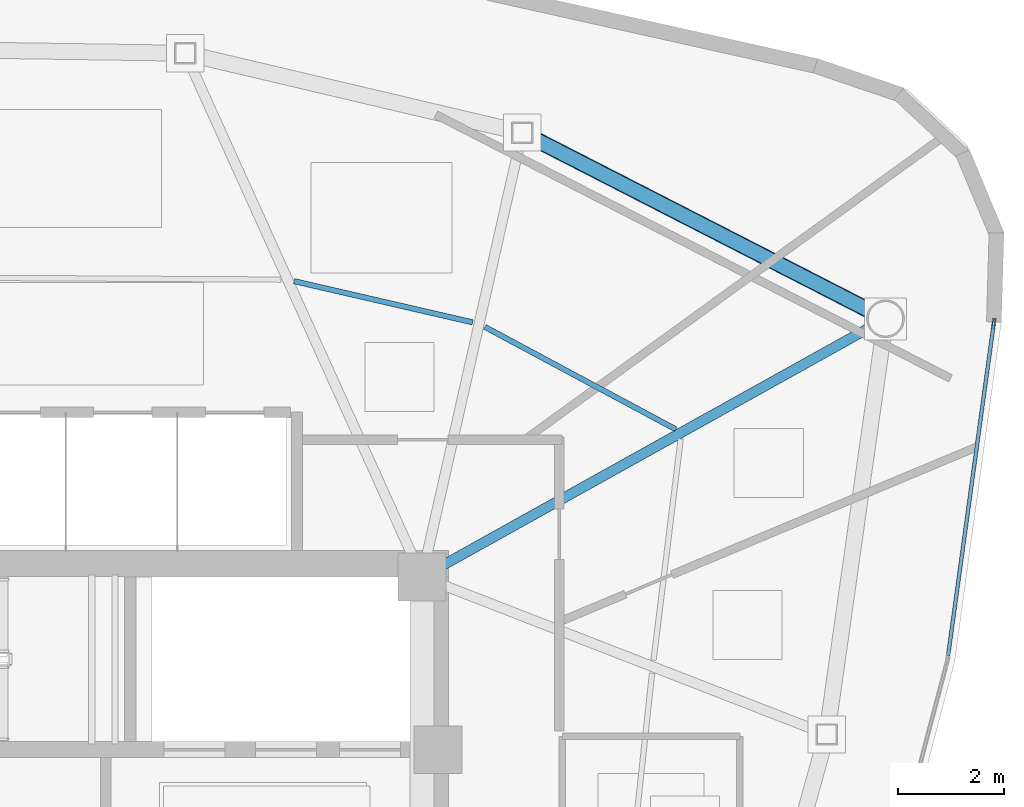
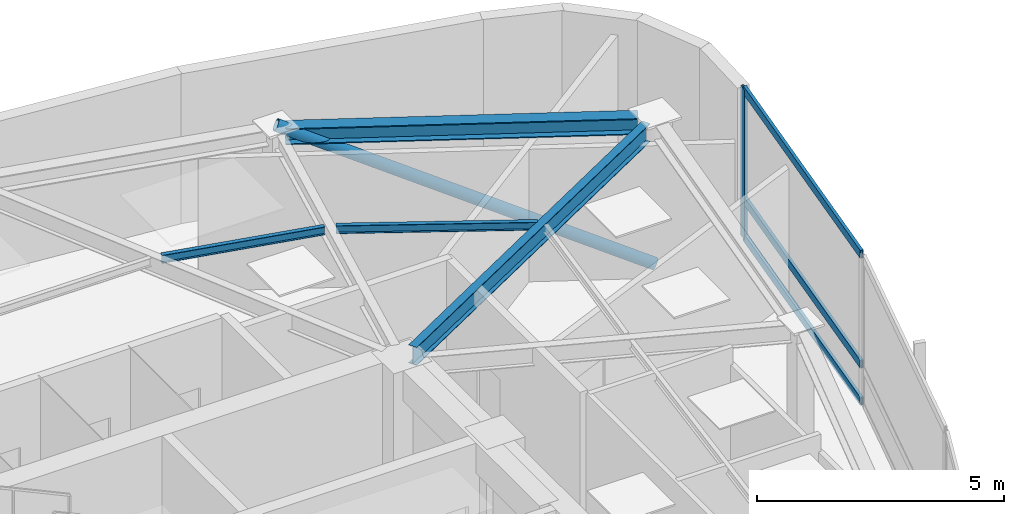
# One storey, part 6 of 12: 5 members, 4 beams, 1 element without a shape of its own.
"""IFC4 building model written with IfcOpenShell, lengths in metres."""

from ifc_helpers import new_model, si_unit, direction, frame, origin, origin_2d, place, context, subcontext, project, spatial, hollow_rectangle, hollow_circle, i_section, extrude, source, transform, mapped, material, layer, layer_set, material_profile, profile_set, type_object, type_shapes, element, aggregate, save


model = new_model("IFC4")

# Units and contexts
model_context = context("Model", 3, precision=1e-05, world=origin(), true_north=direction((0.0, 1.0)))
body_context = subcontext(model_context, "Body", "Model", "MODEL_VIEW")
ifc_project = project(units=[si_unit("LENGTHUNIT", "METRE"), si_unit("AREAUNIT", "SQUARE_METRE"), si_unit("VOLUMEUNIT", "CUBIC_METRE"), si_unit("PLANEANGLEUNIT", "RADIAN"), si_unit("MASSUNIT", "GRAM", prefix="KILO")], contexts=[model_context])

# Site, building, storey
site_placement = place(None, origin())
site = spatial("IfcSite", under=ifc_project, at=site_placement, CompositionType="ELEMENT")
building_placement = place(site_placement, origin())
building = spatial("IfcBuilding", under=site, at=building_placement, Name="Tavelor Broadcast Tower", CompositionType="ELEMENT")
storey_placement = place(building_placement, frame((0.0, 0.0, 317.5)))
storey = spatial("IfcBuildingStorey", under=building, at=storey_placement, Name="L76", CompositionType="ELEMENT", Elevation=317.5)

# Beams
ifc_material_1 = material(Name="Steel S355", Category="steel")
ifc_material_profile_1 = material_profile(ifc_material_1, i_section(OverallWidth=0.10009765625, OverallDepth=0.199951171875, WebThickness=0.005615234375, FlangeThickness=0.008544921875, at=origin_2d()), Name="IPE 200")
ifc_profile_set_1 = profile_set([ifc_material_profile_1], Name="Steel S355")
beam_type_1 = type_object("IfcBeamType", Name="Composite Floor Joist T8 IPE 200", PredefinedType="JOIST", material=ifc_profile_set_1)
beam_1_placement = place(storey_placement, frame((61.372802734375, 53.97705078125, 3.60009765625), z_axis=(-0.881270485995, 0.47261224118, 0.0), x_axis=(-0.47261224118, -0.881270485995, 0.0)))
element("IfcBeam", 1, at=beam_1_placement, inside=storey, type_object=beam_type_1, Name="L76 Secondary Composite Floor Joist 13", PredefinedType="JOIST", context=body_context, shape_type="SweptSolid", body=[
    extrude(i_section(OverallWidth=0.10009765625, OverallDepth=0.199951171875, WebThickness=0.005615234375, FlangeThickness=0.008544921875, at=origin_2d()), origin(), (0.0, 0.0, 1.0), 4.0732421875),
])
beam_2_placement = place(storey_placement, frame((57.553466796875, 55.98828125, 3.60009765625), z_axis=(-0.974380456478, 0.224906038232, 0.0), x_axis=(-0.224906038232, -0.974380456478, 0.0)))
element("IfcBeam", 2, at=beam_2_placement, inside=storey, type_object=beam_type_1, Name="L76 Secondary Composite Floor Joist 14", PredefinedType="JOIST", context=body_context, shape_type="SweptSolid", body=[
    extrude(i_section(OverallWidth=0.10009765625, OverallDepth=0.199951171875, WebThickness=0.005615234375, FlangeThickness=0.008544921875, at=origin_2d()), origin(), (0.0, 0.0, 1.0), 3.44873046875),
])
ifc_material_profile_2 = material_profile(ifc_material_1, i_section(OverallWidth=0.300048828125, OverallDepth=0.39990234375, WebThickness=0.013427734375, FlangeThickness=0.02392578125, at=origin_2d()), Name="HEB 400")
ifc_profile_set_2 = profile_set([ifc_material_profile_2], Name="Steel S355")
beam_type_2 = type_object("IfcBeamType", Name="Perimeter Spandrel Beam T8 HEB 400", PredefinedType="SPANDREL", material=ifc_profile_set_2)
beam_3_placement = place(storey_placement, frame((65.015869140625, 56.211181640625, 3.5), z_axis=(-0.889983170291, 0.455993373415, 0.0), x_axis=(-0.455993373415, -0.889983170291, 0.0)))
element("IfcBeam", 3, at=beam_3_placement, inside=storey, type_object=beam_type_2, Name="L76 Framed-Tube Ring Spandrel 13", PredefinedType="SPANDREL", context=body_context, shape_type="SweptSolid", body=[
    extrude(i_section(OverallWidth=0.300048828125, OverallDepth=0.39990234375, WebThickness=0.013427734375, FlangeThickness=0.02392578125, at=origin_2d()), origin(), (0.0, 0.0, 1.0), 7.1455078125),
])

# Member
ifc_material_profile_3 = material_profile(ifc_material_1, hollow_circle(Radius=0.136474609375, WallThickness=0.012451171875, at=origin_2d()), Name="CHS 273x12.5")
ifc_profile_set_3 = profile_set([ifc_material_profile_3], Name="Steel S355")
member_type_1 = type_object("IfcMemberType", Name="Perimeter Tube Brace T8 CHS 273x12.5", PredefinedType="BRACE", material=ifc_profile_set_3)
member_1_placement = place(storey_placement, frame((65.319580078125, 56.0556640625, 0.0), z_axis=(-0.801763897696, 0.410792291396, 0.434078732123), x_axis=(-0.455992584505, -0.889983574498, 0.0)))
element("IfcMember", 4, at=member_1_placement, inside=storey, type_object=member_type_1, Name="L76 Corner Tube Diagonal Brace 3", PredefinedType="BRACE", context=body_context, shape_type="SweptSolid", body=[
    extrude(hollow_circle(Radius=0.136474609375, WallThickness=0.012451171875, at=origin_2d()), origin(), (0.0, 0.0, 1.0), 8.523681640625),
])

# Beam
ifc_material_profile_4 = material_profile(ifc_material_1, i_section(OverallWidth=0.18994140625, OverallDepth=0.449951171875, WebThickness=0.009521484375, FlangeThickness=0.0146484375, at=origin_2d()), Name="IPE 450")
ifc_profile_set_4 = profile_set([ifc_material_profile_4], Name="Steel S355")
beam_type_3 = type_object("IfcBeamType", Name="Radial Floor Girder T8 IPE 450", PredefinedType="BEAM", material=ifc_profile_set_4)
beam_4_placement = place(storey_placement, frame((56.977294921875, 51.41015625, 3.47509765625), z_axis=(0.87366652502, 0.486525233734, 0.0), x_axis=(-0.486525233734, 0.87366652502, 0.0)))
element("IfcBeam", 5, at=beam_4_placement, inside=storey, type_object=beam_type_3, Name="L76 Radial Primary Floor Girder 13", PredefinedType="BEAM", context=body_context, shape_type="SweptSolid", body=[
    extrude(i_section(OverallWidth=0.18994140625, OverallDepth=0.449951171875, WebThickness=0.009521484375, FlangeThickness=0.0146484375, at=origin_2d()), origin(), (0.0, 0.0, 1.0), 9.20703125),
])

# Curtain wall, members
ifc_material_2 = material(Name="Architectural Anodized Aluminium", Category="aluminium")
ifc_layer = layer(ifc_material_2, 0.199951171875)
ifc_layer_set = layer_set([ifc_layer], Name="Architectural Anodized Aluminium")
curtain_wall_type = type_object("IfcCurtainWallType", Name="Tower High-Zone Triple-Glazed Curtain Wall CW04", PredefinedType="NOTDEFINED", material=ifc_layer_set)
curtain_wall_placement = place(storey_placement, origin())
curtain_wall = element("IfcCurtainWall", 6, at=curtain_wall_placement, inside=storey, type_object=curtain_wall_type, Name="L76 Curtain Wall CW04 Run 848", PredefinedType="NOTDEFINED")
ifc_material_profile_5 = material_profile(ifc_material_2, hollow_rectangle(XDim=0.070068359375, YDim=0.199951171875, WallThickness=0.02197265625, at=origin_2d()), Name="RHS 70x200x22")
ifc_profile_set_5 = profile_set([ifc_material_profile_5], Name="Architectural Anodized Aluminium")
member_type_2 = type_object("IfcMemberType", Name="CW04 Extruded Aluminium Mullion 70x200", PredefinedType="MULLION", material=ifc_profile_set_5)
shared_shape_1 = source(origin(), body_context, "Body", "SweptSolid", [
    extrude(hollow_rectangle(XDim=0.070068359375, YDim=0.199951171875, WallThickness=0.02197265625, at=origin_2d()), origin(), (0.0, 0.0, 1.0), 3.699951171875),
])
type_shapes(member_type_2, [shared_shape_1])
member_2_placement = place(storey_placement, frame((67.354736328125, 55.9658203125, 0.0), z_axis=(0.0, 0.0, 1.0), x_axis=(-0.990689538347, 0.136140510537, 0.0)))
member_2 = element("IfcMember", 7, at=member_2_placement, type_object=member_type_2, Name="CW04 mullion 2", PredefinedType="MULLION", context=body_context, shape_type="MappedRepresentation", body=[
    mapped(shared_shape_1, transform((0.0, 0.0, 0.0), scale=1.0)),
])
ifc_material_profile_6 = material_profile(ifc_material_2, hollow_rectangle(XDim=0.070068359375, YDim=0.199951171875, WallThickness=0.02197265625, at=origin_2d()), Name="RHS 70x200x22")
ifc_profile_set_6 = profile_set([ifc_material_profile_6], Name="Architectural Anodized Aluminium")
member_type_3 = type_object("IfcMemberType", Name="CW04 Extruded Aluminium Transom 70x200", PredefinedType="USERDEFINED", material=ifc_profile_set_6)
shared_shape_2 = source(origin(), body_context, "Body", "SweptSolid", [
    extrude(hollow_rectangle(XDim=0.070068359375, YDim=0.199951171875, WallThickness=0.02197265625, at=origin_2d()), origin(), (0.0, 0.0, 1.0), 6.275146484375),
])
type_shapes(member_type_3, [shared_shape_2])
member_3_placement = place(storey_placement, frame((66.495849609375, 49.71435546875, 0.034912109375), z_axis=(0.136130517571, 0.990690911529, 0.0), x_axis=(-0.990690911529, 0.136130517571, 0.0)))
member_3 = element("IfcMember", 8, at=member_3_placement, type_object=member_type_3, Name="CW04 transom 1.1", ObjectType="TRANSOM", PredefinedType="USERDEFINED", context=body_context, shape_type="MappedRepresentation", body=[
    mapped(shared_shape_2, transform((0.0, 0.0, 0.0), scale=1.0)),
])
member_4_placement = place(storey_placement, frame((66.495849609375, 49.71435546875, 0.949951171875), z_axis=(0.136130517571, 0.990690911529, 0.0), x_axis=(-0.990690911529, 0.136130517571, 0.0)))
member_4 = element("IfcMember", 9, at=member_4_placement, type_object=member_type_3, Name="CW04 transom 1.2", ObjectType="TRANSOM", PredefinedType="USERDEFINED", context=body_context, shape_type="MappedRepresentation", body=[
    mapped(shared_shape_2, transform((0.0, 0.0, 0.0), scale=1.0)),
])
member_5_placement = place(storey_placement, frame((66.495849609375, 49.71435546875, 3.6650390625), z_axis=(0.136130517571, 0.990690911529, 0.0), x_axis=(-0.990690911529, 0.136130517571, 0.0)))
member_5 = element("IfcMember", 10, at=member_5_placement, type_object=member_type_3, Name="CW04 transom 1.3", ObjectType="TRANSOM", PredefinedType="USERDEFINED", context=body_context, shape_type="MappedRepresentation", body=[
    mapped(shared_shape_2, transform((0.0, 0.0, 0.0), scale=1.0)),
])
aggregate(curtain_wall, [member_2, member_3, member_4, member_5])

save(model, "model.ifc")
